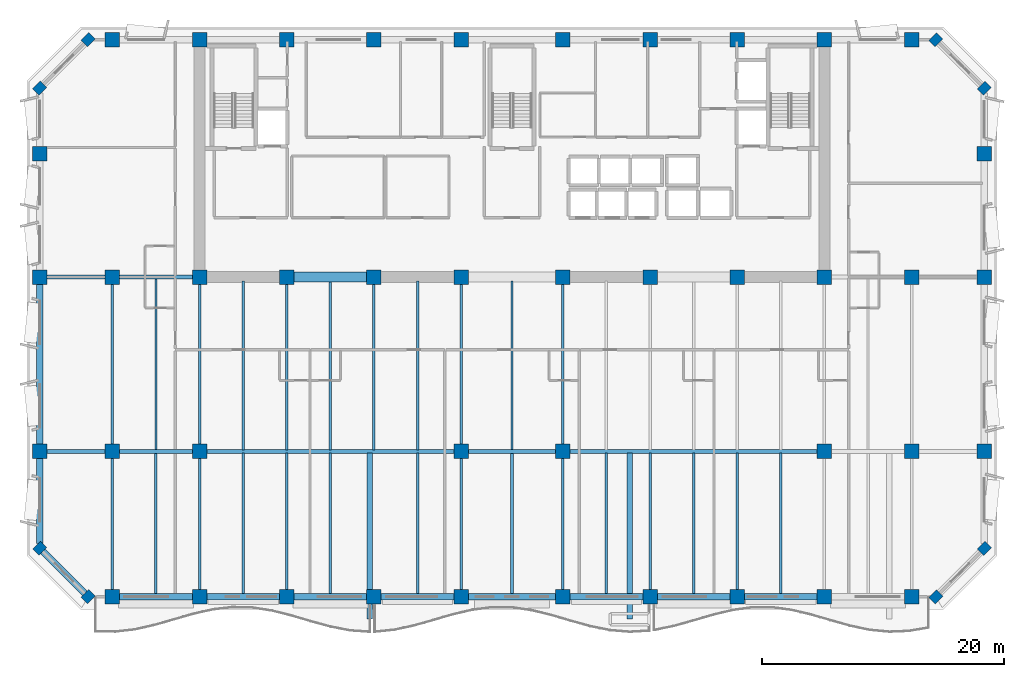
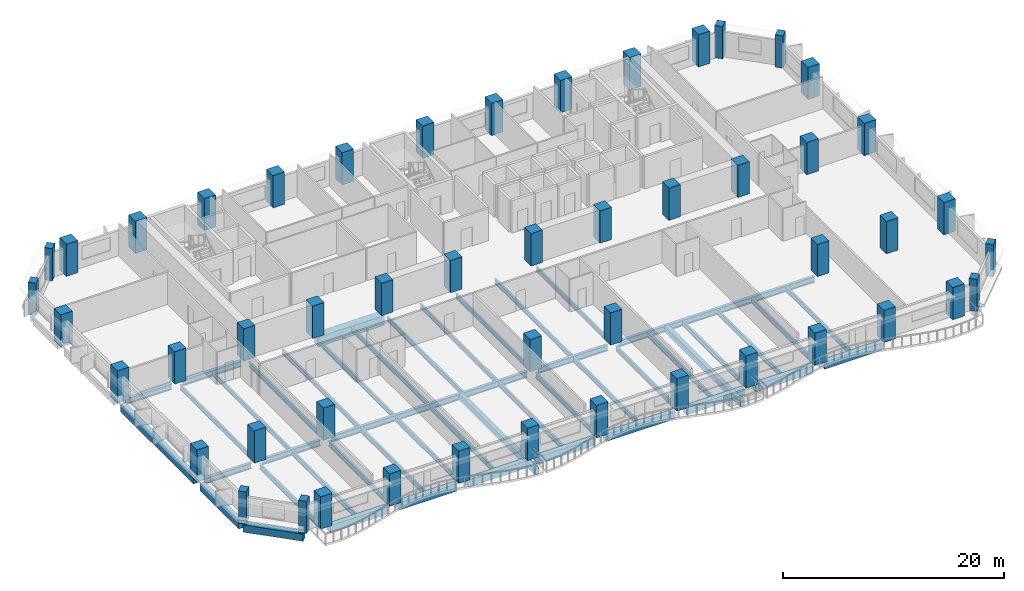
# One storey, part 1 of 14: 50 columns, 47 beams.
"""IFC4 building model written with IfcOpenShell, lengths in metres."""

from ifc_helpers import new_model, si_unit, direction, frame, origin, origin_2d, place, context, subcontext, project, spatial, rectangle, i_section, extrude, material, material_profile, profile_set, type_object, element, save


model = new_model("IFC4")

# Units and contexts
model_context = context("Model", 3, precision=1e-05, world=origin(), true_north=direction((0.0, 1.0)))
body_context = subcontext(model_context, "Body", "Model", "MODEL_VIEW")
ifc_project = project(units=[si_unit("LENGTHUNIT", "METRE"), si_unit("AREAUNIT", "SQUARE_METRE"), si_unit("VOLUMEUNIT", "CUBIC_METRE"), si_unit("PLANEANGLEUNIT", "RADIAN"), si_unit("MASSUNIT", "GRAM", prefix="KILO")], contexts=[model_context])

# Site, building, storey
site_placement = place(None, origin())
site = spatial("IfcSite", under=ifc_project, at=site_placement, CompositionType="ELEMENT")
building_placement = place(site_placement, origin())
building = spatial("IfcBuilding", under=site, at=building_placement, Name="Kaelvorn Grand Hotel", CompositionType="ELEMENT")
storey_placement = place(building_placement, frame((0.0, 0.0, 209.14990234375)))
storey = spatial("IfcBuildingStorey", under=building, at=storey_placement, Name="L51", CompositionType="ELEMENT", Elevation=209.14990234375)

# Columns
ifc_material_1 = material(Name="Concrete C60/75", Category="concrete")
ifc_material_profile_1 = material_profile(ifc_material_1, rectangle(XDim=0.89990234375, YDim=0.75, at=origin_2d()), Name="RC PILASTER 900x750")
ifc_profile_set_1 = profile_set([ifc_material_profile_1], Name="Concrete C60/75")
column_type_1 = type_object("IfcColumnType", Name="COL-PIL-900x750-C60", PredefinedType="PILASTER", material=ifc_profile_set_1)
for number, where, z_axis, x_axis, name in (
    (1, (7.0, 3.0, 0.0), (0.0, 0.0, 1.0), (0.707106781187, 0.707106781187, 0.0), "L51 Structural Column CH-01"),
    (2, (77.0, 3.0, 0.0), (0.0, 0.0, 1.0), (0.707106781187, 0.707106781187, 0.0), "L51 Structural Column CH-02"),
    (3, (81.0, 7.0, 0.0), (0.0, 0.0, 1.0), (0.707106781187, 0.707106781187, 0.0), "L51 Structural Column CH-03"),
    (4, (81.0, 45.0, 0.0), (0.0, 0.0, 1.0), (0.707106781187, 0.707106781187, 0.0), "L51 Structural Column CH-04"),
    (5, (77.0, 49.0, 0.0), (0.0, 0.0, 1.0), (0.707106781187, 0.707106781187, 0.0), "L51 Structural Column CH-05"),
    (6, (7.0, 49.0, 0.0), (0.0, 0.0, 1.0), (0.707106781187, 0.707106781187, 0.0), "L51 Structural Column CH-06"),
    (7, (3.0, 45.0, 0.0), (0.0, 0.0, 1.0), (0.707106781187, 0.707106781187, 0.0), "L51 Structural Column CH-07"),
    (8, (3.0, 7.0, 0.0), (0.0, 0.0, 1.0), (0.707106781187, 0.707106781187, 0.0), "L51 Structural Column CH-08"),
):
    element("IfcColumn", number, at=place(storey_placement, frame(where, z_axis=z_axis, x_axis=x_axis)), inside=storey, type_object=column_type_1, Name=name, PredefinedType="PILASTER", context=body_context, shape_type="SweptSolid", body=[
        extrude(rectangle(XDim=0.89990234375, YDim=0.75, at=origin_2d()), origin(), (0.0, 0.0, 1.0), 3.56005859375),
    ])
ifc_material_profile_2 = material_profile(ifc_material_1, rectangle(XDim=1.199951171875, YDim=1.199951171875, at=origin_2d()), Name="RC COL 1200x1200")
ifc_profile_set_2 = profile_set([ifc_material_profile_2], Name="Concrete C60/75")
column_type_2 = type_object("IfcColumnType", Name="COL-RC-1200-C60", PredefinedType="COLUMN", material=ifc_profile_set_2)
for number, where, z_axis, x_axis, name in (
    (9, (9.0, 3.0, 0.0), (0.0, 0.0, 1.0), (1.0, 0.0, 0.0), "L51 Structural Column S-01"),
    (10, (16.199951171875, 3.0, 0.0), (0.0, 0.0, 1.0), (1.0, 0.0, 0.0), "L51 Structural Column S-02"),
    (11, (23.39990234375, 3.0, 0.0), (0.0, 0.0, 1.0), (1.0, 0.0, 0.0), "L51 Structural Column S-03"),
    (12, (30.60009765625, 3.0, 0.0), (0.0, 0.0, 1.0), (1.0, 0.0, 0.0), "L51 Structural Column S-04"),
    (13, (37.800048828125, 3.0, 0.0), (0.0, 0.0, 1.0), (1.0, 0.0, 0.0), "L51 Structural Column S-05"),
    (14, (46.199951171875, 3.0, 0.0), (0.0, 0.0, 1.0), (1.0, 0.0, 0.0), "L51 Structural Column S-06"),
    (15, (53.39990234375, 3.0, 0.0), (0.0, 0.0, 1.0), (1.0, 0.0, 0.0), "L51 Structural Column S-07"),
    (16, (60.60009765625, 3.0, 0.0), (0.0, 0.0, 1.0), (1.0, 0.0, 0.0), "L51 Structural Column S-08"),
    (17, (67.800048828125, 3.0, 0.0), (0.0, 0.0, 1.0), (1.0, 0.0, 0.0), "L51 Structural Column S-09"),
    (18, (75.0, 3.0, 0.0), (0.0, 0.0, 1.0), (1.0, 0.0, 0.0), "L51 Structural Column S-10"),
    (19, (3.0, 15.0, 0.0), (0.0, 0.0, 1.0), (1.0, 0.0, 0.0), "L51 Structural Column W-01"),
    (20, (81.0, 15.0, 0.0), (0.0, 0.0, 1.0), (1.0, 0.0, 0.0), "L51 Structural Column E-01"),
    (21, (3.0, 29.39990234375, 0.0), (0.0, 0.0, 1.0), (1.0, 0.0, 0.0), "L51 Structural Column W-02"),
    (22, (81.0, 29.39990234375, 0.0), (0.0, 0.0, 1.0), (1.0, 0.0, 0.0), "L51 Structural Column E-02"),
    (23, (3.0, 39.60009765625, 0.0), (0.0, 0.0, 1.0), (1.0, 0.0, 0.0), "L51 Structural Column W-03"),
    (24, (81.0, 39.60009765625, 0.0), (0.0, 0.0, 1.0), (1.0, 0.0, 0.0), "L51 Structural Column E-03"),
    (25, (9.0, 15.0, 0.0), (0.0, 0.0, 1.0), (1.0, 0.0, 0.0), "L51 Structural Column M-01"),
    (26, (16.199951171875, 15.0, 0.0), (0.0, 0.0, 1.0), (1.0, 0.0, 0.0), "L51 Structural Column M-02"),
    (27, (37.800048828125, 15.0, 0.0), (0.0, 0.0, 1.0), (1.0, 0.0, 0.0), "L51 Structural Column M-03"),
    (28, (46.199951171875, 15.0, 0.0), (0.0, 0.0, 1.0), (1.0, 0.0, 0.0), "L51 Structural Column M-04"),
    (29, (67.800048828125, 15.0, 0.0), (0.0, 0.0, 1.0), (1.0, 0.0, 0.0), "L51 Structural Column M-05"),
    (30, (75.0, 15.0, 0.0), (0.0, 0.0, 1.0), (1.0, 0.0, 0.0), "L51 Structural Column M-06"),
    (31, (9.0, 29.39990234375, 0.0), (0.0, 0.0, 1.0), (1.0, 0.0, 0.0), "L51 Structural Column CR1-01"),
    (32, (9.0, 49.0, 0.0), (0.0, 0.0, 1.0), (1.0, 0.0, 0.0), "L51 Structural Column CR2-01"),
    (33, (16.199951171875, 29.39990234375, 0.0), (0.0, 0.0, 1.0), (1.0, 0.0, 0.0), "L51 Structural Column CR1-02"),
    (34, (16.199951171875, 49.0, 0.0), (0.0, 0.0, 1.0), (1.0, 0.0, 0.0), "L51 Structural Column CR2-02"),
    (35, (23.39990234375, 29.39990234375, 0.0), (0.0, 0.0, 1.0), (1.0, 0.0, 0.0), "L51 Structural Column CR1-03"),
    (36, (23.39990234375, 49.0, 0.0), (0.0, 0.0, 1.0), (1.0, 0.0, 0.0), "L51 Structural Column CR2-03"),
    (37, (30.60009765625, 29.39990234375, 0.0), (0.0, 0.0, 1.0), (1.0, 0.0, 0.0), "L51 Structural Column CR1-04"),
    (38, (30.60009765625, 49.0, 0.0), (0.0, 0.0, 1.0), (1.0, 0.0, 0.0), "L51 Structural Column CR2-04"),
    (39, (37.800048828125, 29.39990234375, 0.0), (0.0, 0.0, 1.0), (1.0, 0.0, 0.0), "L51 Structural Column CR1-05"),
    (40, (37.800048828125, 49.0, 0.0), (0.0, 0.0, 1.0), (1.0, 0.0, 0.0), "L51 Structural Column CR2-05"),
    (41, (46.199951171875, 29.39990234375, 0.0), (0.0, 0.0, 1.0), (1.0, 0.0, 0.0), "L51 Structural Column CR1-06"),
    (42, (46.199951171875, 49.0, 0.0), (0.0, 0.0, 1.0), (1.0, 0.0, 0.0), "L51 Structural Column CR2-06"),
    (43, (53.39990234375, 29.39990234375, 0.0), (0.0, 0.0, 1.0), (1.0, 0.0, 0.0), "L51 Structural Column CR1-07"),
    (44, (53.39990234375, 49.0, 0.0), (0.0, 0.0, 1.0), (1.0, 0.0, 0.0), "L51 Structural Column CR2-07"),
    (45, (60.60009765625, 29.39990234375, 0.0), (0.0, 0.0, 1.0), (1.0, 0.0, 0.0), "L51 Structural Column CR1-08"),
    (46, (60.60009765625, 49.0, 0.0), (0.0, 0.0, 1.0), (1.0, 0.0, 0.0), "L51 Structural Column CR2-08"),
    (47, (67.800048828125, 29.39990234375, 0.0), (0.0, 0.0, 1.0), (1.0, 0.0, 0.0), "L51 Structural Column CR1-09"),
    (48, (67.800048828125, 49.0, 0.0), (0.0, 0.0, 1.0), (1.0, 0.0, 0.0), "L51 Structural Column CR2-09"),
    (49, (75.0, 29.39990234375, 0.0), (0.0, 0.0, 1.0), (1.0, 0.0, 0.0), "L51 Structural Column CR1-10"),
    (50, (75.0, 49.0, 0.0), (0.0, 0.0, 1.0), (1.0, 0.0, 0.0), "L51 Structural Column CR2-10"),
):
    element("IfcColumn", number, at=place(storey_placement, frame(where, z_axis=z_axis, x_axis=x_axis)), inside=storey, type_object=column_type_2, Name=name, PredefinedType="COLUMN", context=body_context, shape_type="SweptSolid", body=[
        extrude(rectangle(XDim=1.199951171875, YDim=1.199951171875, at=origin_2d()), origin(), (0.0, 0.0, 1.0), 3.56005859375),
    ])

# Beams
ifc_material_2 = material(Name="Steel S355", Category="steel")
ifc_material_profile_3 = material_profile(ifc_material_2, i_section(OverallWidth=0.300048828125, OverallDepth=0.64990234375, WebThickness=0.01611328125, FlangeThickness=0.031005859375, FilletRadius=0.027099609375, at=origin_2d()), Name="HEB 650")
ifc_profile_set_3 = profile_set([ifc_material_profile_3], Name="Steel S355")
beam_type_1 = type_object("IfcBeamType", Name="BM-G-HEB650-S355", PredefinedType="BEAM", material=ifc_profile_set_3)
beam_1_placement = place(storey_placement, frame((3.5849609375, 15.0, -0.56494140625), z_axis=(1.0, 0.0, 0.0), x_axis=(0.0, 1.0, 0.0)))
element("IfcBeam", 51, at=beam_1_placement, inside=storey, type_object=beam_type_1, Name="L51 Primary Spine Steel Girder G-15 01", PredefinedType="BEAM", context=body_context, shape_type="SweptSolid", body=[
    extrude(i_section(OverallWidth=0.300048828125, OverallDepth=0.64990234375, WebThickness=0.01611328125, FlangeThickness=0.031005859375, FilletRadius=0.027099609375, at=origin_2d()), origin(), (0.0, 0.0, 1.0), 4.830078125),
])
beam_2_placement = place(storey_placement, frame((9.5849609375, 15.0, -0.56494140625), z_axis=(1.0, 0.0, 0.0), x_axis=(0.0, 1.0, 0.0)))
element("IfcBeam", 52, at=beam_2_placement, inside=storey, type_object=beam_type_1, Name="L51 Primary Spine Steel Girder G-15 02", PredefinedType="BEAM", context=body_context, shape_type="SweptSolid", body=[
    extrude(i_section(OverallWidth=0.300048828125, OverallDepth=0.64990234375, WebThickness=0.01611328125, FlangeThickness=0.031005859375, FilletRadius=0.027099609375, at=origin_2d()), origin(), (0.0, 0.0, 1.0), 6.030029296875),
])
beam_3_placement = place(storey_placement, frame((16.784912109375, 15.0, -0.56494140625), z_axis=(1.0, 0.0, 0.0), x_axis=(0.0, 1.0, 0.0)))
element("IfcBeam", 53, at=beam_3_placement, inside=storey, type_object=beam_type_1, Name="L51 Primary Spine Steel Girder G-15 03", PredefinedType="BEAM", context=body_context, shape_type="SweptSolid", body=[
    extrude(i_section(OverallWidth=0.300048828125, OverallDepth=0.64990234375, WebThickness=0.01611328125, FlangeThickness=0.031005859375, FilletRadius=0.027099609375, at=origin_2d()), origin(), (0.0, 0.0, 1.0), 20.43017578125),
])
beam_4_placement = place(storey_placement, frame((38.385009765625, 15.0, -0.56494140625), z_axis=(1.0, 0.0, 0.0), x_axis=(0.0, 1.0, 0.0)))
element("IfcBeam", 54, at=beam_4_placement, inside=storey, type_object=beam_type_1, Name="L51 Primary Spine Steel Girder G-15 04", PredefinedType="BEAM", context=body_context, shape_type="SweptSolid", body=[
    extrude(i_section(OverallWidth=0.300048828125, OverallDepth=0.64990234375, WebThickness=0.01611328125, FlangeThickness=0.031005859375, FilletRadius=0.027099609375, at=origin_2d()), origin(), (0.0, 0.0, 1.0), 7.22998046875),
])
beam_5_placement = place(storey_placement, frame((46.784912109375, 15.0, -0.56494140625), z_axis=(1.0, 0.0, 0.0), x_axis=(0.0, 1.0, 0.0)))
element("IfcBeam", 55, at=beam_5_placement, inside=storey, type_object=beam_type_1, Name="L51 Primary Spine Steel Girder G-15 05", PredefinedType="BEAM", context=body_context, shape_type="SweptSolid", body=[
    extrude(i_section(OverallWidth=0.300048828125, OverallDepth=0.64990234375, WebThickness=0.01611328125, FlangeThickness=0.031005859375, FilletRadius=0.027099609375, at=origin_2d()), origin(), (0.0, 0.0, 1.0), 20.43017578125),
])
beam_6_placement = place(storey_placement, frame((3.5849609375, 29.39990234375, -0.56494140625), z_axis=(1.0, 0.0, 0.0), x_axis=(0.0, 1.0, 0.0)))
element("IfcBeam", 56, at=beam_6_placement, inside=storey, type_object=beam_type_1, Name="L51 West Core Wing Steel Girder G-29W 01", PredefinedType="BEAM", context=body_context, shape_type="SweptSolid", body=[
    extrude(i_section(OverallWidth=0.300048828125, OverallDepth=0.64990234375, WebThickness=0.01611328125, FlangeThickness=0.031005859375, FilletRadius=0.027099609375, at=origin_2d()), origin(), (0.0, 0.0, 1.0), 4.830078125),
])
beam_7_placement = place(storey_placement, frame((9.5849609375, 29.39990234375, -0.56494140625), z_axis=(1.0, 0.0, 0.0), x_axis=(0.0, 1.0, 0.0)))
element("IfcBeam", 57, at=beam_7_placement, inside=storey, type_object=beam_type_1, Name="L51 West Core Wing Steel Girder G-29W 02", PredefinedType="BEAM", context=body_context, shape_type="SweptSolid", body=[
    extrude(i_section(OverallWidth=0.300048828125, OverallDepth=0.64990234375, WebThickness=0.01611328125, FlangeThickness=0.031005859375, FilletRadius=0.027099609375, at=origin_2d()), origin(), (0.0, 0.0, 1.0), 6.030029296875),
])
ifc_material_profile_4 = material_profile(ifc_material_2, i_section(OverallWidth=0.199951171875, OverallDepth=0.5, WebThickness=0.01025390625, FlangeThickness=0.01611328125, FilletRadius=0.02099609375, at=origin_2d()), Name="IPE 500")
ifc_profile_set_4 = profile_set([ifc_material_profile_4], Name="Steel S355")
beam_type_2 = type_object("IfcBeamType", Name="BM-J-IPE500-S355", PredefinedType="JOIST", material=ifc_profile_set_4)
beam_8_placement = place(storey_placement, frame((9.0, 15.5849609375, -0.489990234375), z_axis=(0.0, 1.0, 0.0), x_axis=(-1.0, 0.0, 0.0)))
element("IfcBeam", 58, at=beam_8_placement, inside=storey, type_object=beam_type_2, Name="L51 Composite Floor Joist JM-03", PredefinedType="JOIST", context=body_context, shape_type="SweptSolid", body=[
    extrude(i_section(OverallWidth=0.199951171875, OverallDepth=0.5, WebThickness=0.01025390625, FlangeThickness=0.01611328125, FilletRadius=0.02099609375, at=origin_2d()), origin(), (0.0, 0.0, 1.0), 13.22998046875),
])
beam_9_placement = place(storey_placement, frame((12.60009765625, 15.135009765625, -0.489990234375), z_axis=(0.0, 1.0, 0.0), x_axis=(-1.0, 0.0, 0.0)))
element("IfcBeam", 59, at=beam_9_placement, inside=storey, type_object=beam_type_2, Name="L51 Composite Floor Joist JM-04", PredefinedType="JOIST", context=body_context, shape_type="SweptSolid", body=[
    extrude(i_section(OverallWidth=0.199951171875, OverallDepth=0.5, WebThickness=0.01025390625, FlangeThickness=0.01611328125, FilletRadius=0.02099609375, at=origin_2d()), origin(), (0.0, 0.0, 1.0), 14.1298828125),
])
beam_10_placement = place(storey_placement, frame((16.199951171875, 15.5849609375, -0.489990234375), z_axis=(0.0, 1.0, 0.0), x_axis=(-1.0, 0.0, 0.0)))
element("IfcBeam", 60, at=beam_10_placement, inside=storey, type_object=beam_type_2, Name="L51 Composite Floor Joist JM-05", PredefinedType="JOIST", context=body_context, shape_type="SweptSolid", body=[
    extrude(i_section(OverallWidth=0.199951171875, OverallDepth=0.5, WebThickness=0.01025390625, FlangeThickness=0.01611328125, FilletRadius=0.02099609375, at=origin_2d()), origin(), (0.0, 0.0, 1.0), 13.22998046875),
])
beam_11_placement = place(storey_placement, frame((19.800048828125, 15.135009765625, -0.489990234375), z_axis=(0.0, 1.0, 0.0), x_axis=(-1.0, 0.0, 0.0)))
element("IfcBeam", 61, at=beam_11_placement, inside=storey, type_object=beam_type_2, Name="L51 Composite Floor Joist JM-06", PredefinedType="JOIST", context=body_context, shape_type="SweptSolid", body=[
    extrude(i_section(OverallWidth=0.199951171875, OverallDepth=0.5, WebThickness=0.01025390625, FlangeThickness=0.01611328125, FilletRadius=0.02099609375, at=origin_2d()), origin(), (0.0, 0.0, 1.0), 13.925048828125),
])
beam_12_placement = place(storey_placement, frame((23.39990234375, 15.135009765625, -0.489990234375), z_axis=(0.0, 1.0, 0.0), x_axis=(-1.0, 0.0, 0.0)))
element("IfcBeam", 62, at=beam_12_placement, inside=storey, type_object=beam_type_2, Name="L51 Composite Floor Joist JM-07", PredefinedType="JOIST", context=body_context, shape_type="SweptSolid", body=[
    extrude(i_section(OverallWidth=0.199951171875, OverallDepth=0.5, WebThickness=0.01025390625, FlangeThickness=0.01611328125, FilletRadius=0.02099609375, at=origin_2d()), origin(), (0.0, 0.0, 1.0), 13.679931640625),
])
beam_13_placement = place(storey_placement, frame((27.0, 15.135009765625, -0.489990234375), z_axis=(0.0, 1.0, 0.0), x_axis=(-1.0, 0.0, 0.0)))
element("IfcBeam", 63, at=beam_13_placement, inside=storey, type_object=beam_type_2, Name="L51 Composite Floor Joist JM-08", PredefinedType="JOIST", context=body_context, shape_type="SweptSolid", body=[
    extrude(i_section(OverallWidth=0.199951171875, OverallDepth=0.5, WebThickness=0.01025390625, FlangeThickness=0.01611328125, FilletRadius=0.02099609375, at=origin_2d()), origin(), (0.0, 0.0, 1.0), 13.925048828125),
])
beam_14_placement = place(storey_placement, frame((30.60009765625, 15.135009765625, -0.489990234375), z_axis=(0.0, 1.0, 0.0), x_axis=(-1.0, 0.0, 0.0)))
element("IfcBeam", 64, at=beam_14_placement, inside=storey, type_object=beam_type_2, Name="L51 Composite Floor Joist JM-09", PredefinedType="JOIST", context=body_context, shape_type="SweptSolid", body=[
    extrude(i_section(OverallWidth=0.199951171875, OverallDepth=0.5, WebThickness=0.01025390625, FlangeThickness=0.01611328125, FilletRadius=0.02099609375, at=origin_2d()), origin(), (0.0, 0.0, 1.0), 13.679931640625),
])
beam_15_placement = place(storey_placement, frame((34.199951171875, 15.135009765625, -0.489990234375), z_axis=(0.0, 1.0, 0.0), x_axis=(-1.0, 0.0, 0.0)))
element("IfcBeam", 65, at=beam_15_placement, inside=storey, type_object=beam_type_2, Name="L51 Composite Floor Joist JM-10", PredefinedType="JOIST", context=body_context, shape_type="SweptSolid", body=[
    extrude(i_section(OverallWidth=0.199951171875, OverallDepth=0.5, WebThickness=0.01025390625, FlangeThickness=0.01611328125, FilletRadius=0.02099609375, at=origin_2d()), origin(), (0.0, 0.0, 1.0), 13.925048828125),
])
beam_16_placement = place(storey_placement, frame((37.800048828125, 15.5849609375, -0.489990234375), z_axis=(0.0, 1.0, 0.0), x_axis=(-1.0, 0.0, 0.0)))
element("IfcBeam", 66, at=beam_16_placement, inside=storey, type_object=beam_type_2, Name="L51 Composite Floor Joist JM-11", PredefinedType="JOIST", context=body_context, shape_type="SweptSolid", body=[
    extrude(i_section(OverallWidth=0.199951171875, OverallDepth=0.5, WebThickness=0.01025390625, FlangeThickness=0.01611328125, FilletRadius=0.02099609375, at=origin_2d()), origin(), (0.0, 0.0, 1.0), 13.22998046875),
])
beam_17_placement = place(storey_placement, frame((42.0, 15.135009765625, -0.489990234375), z_axis=(0.0, 1.0, 0.0), x_axis=(-1.0, 0.0, 0.0)))
element("IfcBeam", 67, at=beam_17_placement, inside=storey, type_object=beam_type_2, Name="L51 Composite Floor Joist JM-12", PredefinedType="JOIST", context=body_context, shape_type="SweptSolid", body=[
    extrude(i_section(OverallWidth=0.199951171875, OverallDepth=0.5, WebThickness=0.01025390625, FlangeThickness=0.01611328125, FilletRadius=0.02099609375, at=origin_2d()), origin(), (0.0, 0.0, 1.0), 13.925048828125),
])
beam_18_placement = place(storey_placement, frame((46.199951171875, 15.5849609375, -0.489990234375), z_axis=(0.0, 1.0, 0.0), x_axis=(-1.0, 0.0, 0.0)))
element("IfcBeam", 68, at=beam_18_placement, inside=storey, type_object=beam_type_2, Name="L51 Composite Floor Joist JM-13", PredefinedType="JOIST", context=body_context, shape_type="SweptSolid", body=[
    extrude(i_section(OverallWidth=0.199951171875, OverallDepth=0.5, WebThickness=0.01025390625, FlangeThickness=0.01611328125, FilletRadius=0.02099609375, at=origin_2d()), origin(), (0.0, 0.0, 1.0), 13.22998046875),
])
ifc_material_profile_5 = material_profile(ifc_material_2, i_section(OverallWidth=0.2099609375, OverallDepth=0.550048828125, WebThickness=0.010986328125, FlangeThickness=0.01708984375, FilletRadius=0.02392578125, at=origin_2d()), Name="IPE 550")
ifc_profile_set_5 = profile_set([ifc_material_profile_5], Name="Steel S355")
beam_type_3 = type_object("IfcBeamType", Name="BM-J-IPE550-S355", PredefinedType="JOIST", material=ifc_profile_set_5)
beam_19_placement = place(storey_placement, frame((9.0, 3.5849609375, -0.514892578125), z_axis=(0.0, 1.0, 0.0), x_axis=(-1.0, 0.0, 0.0)))
element("IfcBeam", 69, at=beam_19_placement, inside=storey, type_object=beam_type_3, Name="L51 Composite Floor Joist JS-03", PredefinedType="JOIST", context=body_context, shape_type="SweptSolid", body=[
    extrude(i_section(OverallWidth=0.2099609375, OverallDepth=0.550048828125, WebThickness=0.010986328125, FlangeThickness=0.01708984375, FilletRadius=0.02392578125, at=origin_2d()), origin(), (0.0, 0.0, 1.0), 10.830078125),
])
beam_20_placement = place(storey_placement, frame((12.60009765625, 3.260009765625, -0.514892578125), z_axis=(0.0, 1.0, 0.0), x_axis=(-1.0, 0.0, 0.0)))
element("IfcBeam", 70, at=beam_20_placement, inside=storey, type_object=beam_type_3, Name="L51 Composite Floor Joist JS-04", PredefinedType="JOIST", context=body_context, shape_type="SweptSolid", body=[
    extrude(i_section(OverallWidth=0.2099609375, OverallDepth=0.550048828125, WebThickness=0.010986328125, FlangeThickness=0.01708984375, FilletRadius=0.02392578125, at=origin_2d()), origin(), (0.0, 0.0, 1.0), 11.60498046875),
])
beam_21_placement = place(storey_placement, frame((16.199951171875, 3.5849609375, -0.514892578125), z_axis=(0.0, 1.0, 0.0), x_axis=(-1.0, 0.0, 0.0)))
element("IfcBeam", 71, at=beam_21_placement, inside=storey, type_object=beam_type_3, Name="L51 Composite Floor Joist JS-05", PredefinedType="JOIST", context=body_context, shape_type="SweptSolid", body=[
    extrude(i_section(OverallWidth=0.2099609375, OverallDepth=0.550048828125, WebThickness=0.010986328125, FlangeThickness=0.01708984375, FilletRadius=0.02392578125, at=origin_2d()), origin(), (0.0, 0.0, 1.0), 10.830078125),
])
beam_22_placement = place(storey_placement, frame((19.800048828125, 3.260009765625, -0.514892578125), z_axis=(0.0, 1.0, 0.0), x_axis=(-1.0, 0.0, 0.0)))
element("IfcBeam", 72, at=beam_22_placement, inside=storey, type_object=beam_type_3, Name="L51 Composite Floor Joist JS-06", PredefinedType="JOIST", context=body_context, shape_type="SweptSolid", body=[
    extrude(i_section(OverallWidth=0.2099609375, OverallDepth=0.550048828125, WebThickness=0.010986328125, FlangeThickness=0.01708984375, FilletRadius=0.02392578125, at=origin_2d()), origin(), (0.0, 0.0, 1.0), 11.60498046875),
])
beam_23_placement = place(storey_placement, frame((23.39990234375, 3.5849609375, -0.514892578125), z_axis=(0.0, 1.0, 0.0), x_axis=(-1.0, 0.0, 0.0)))
element("IfcBeam", 73, at=beam_23_placement, inside=storey, type_object=beam_type_3, Name="L51 Composite Floor Joist JS-07", PredefinedType="JOIST", context=body_context, shape_type="SweptSolid", body=[
    extrude(i_section(OverallWidth=0.2099609375, OverallDepth=0.550048828125, WebThickness=0.010986328125, FlangeThickness=0.01708984375, FilletRadius=0.02392578125, at=origin_2d()), origin(), (0.0, 0.0, 1.0), 11.280029296875),
])
for number, where, z_axis, x_axis, name in (
    (74, (27.0, 3.260009765625, -0.514892578125), (0.0, 1.0, 0.0), (-1.0, 0.0, 0.0), "L51 Composite Floor Joist JS-08"),
    (75, (34.199951171875, 3.260009765625, -0.514892578125), (0.0, 1.0, 0.0), (-1.0, 0.0, 0.0), "L51 Composite Floor Joist JS-10"),
):
    element("IfcBeam", number, at=place(storey_placement, frame(where, z_axis=z_axis, x_axis=x_axis)), inside=storey, type_object=beam_type_3, Name=name, PredefinedType="JOIST", context=body_context, shape_type="SweptSolid", body=[
        extrude(i_section(OverallWidth=0.2099609375, OverallDepth=0.550048828125, WebThickness=0.010986328125, FlangeThickness=0.01708984375, FilletRadius=0.02392578125, at=origin_2d()), origin(), (0.0, 0.0, 1.0), 11.60498046875),
    ])
beam_24_placement = place(storey_placement, frame((37.800048828125, 3.5849609375, -0.514892578125), z_axis=(0.0, 1.0, 0.0), x_axis=(-1.0, 0.0, 0.0)))
element("IfcBeam", 76, at=beam_24_placement, inside=storey, type_object=beam_type_3, Name="L51 Composite Floor Joist JS-11", PredefinedType="JOIST", context=body_context, shape_type="SweptSolid", body=[
    extrude(i_section(OverallWidth=0.2099609375, OverallDepth=0.550048828125, WebThickness=0.010986328125, FlangeThickness=0.01708984375, FilletRadius=0.02392578125, at=origin_2d()), origin(), (0.0, 0.0, 1.0), 10.830078125),
])
beam_25_placement = place(storey_placement, frame((42.0, 3.260009765625, -0.514892578125), z_axis=(0.0, 1.0, 0.0), x_axis=(-1.0, 0.0, 0.0)))
element("IfcBeam", 77, at=beam_25_placement, inside=storey, type_object=beam_type_3, Name="L51 Composite Floor Joist JS-12", PredefinedType="JOIST", context=body_context, shape_type="SweptSolid", body=[
    extrude(i_section(OverallWidth=0.2099609375, OverallDepth=0.550048828125, WebThickness=0.010986328125, FlangeThickness=0.01708984375, FilletRadius=0.02392578125, at=origin_2d()), origin(), (0.0, 0.0, 1.0), 11.60498046875),
])
beam_26_placement = place(storey_placement, frame((46.199951171875, 3.5849609375, -0.514892578125), z_axis=(0.0, 1.0, 0.0), x_axis=(-1.0, 0.0, 0.0)))
element("IfcBeam", 78, at=beam_26_placement, inside=storey, type_object=beam_type_3, Name="L51 Composite Floor Joist JS-13", PredefinedType="JOIST", context=body_context, shape_type="SweptSolid", body=[
    extrude(i_section(OverallWidth=0.2099609375, OverallDepth=0.550048828125, WebThickness=0.010986328125, FlangeThickness=0.01708984375, FilletRadius=0.02392578125, at=origin_2d()), origin(), (0.0, 0.0, 1.0), 10.830078125),
])
beam_27_placement = place(storey_placement, frame((49.800048828125, 3.260009765625, -0.514892578125), z_axis=(0.0, 1.0, 0.0), x_axis=(-1.0, 0.0, 0.0)))
element("IfcBeam", 79, at=beam_27_placement, inside=storey, type_object=beam_type_3, Name="L51 Composite Floor Joist JS-14", PredefinedType="JOIST", context=body_context, shape_type="SweptSolid", body=[
    extrude(i_section(OverallWidth=0.2099609375, OverallDepth=0.550048828125, WebThickness=0.010986328125, FlangeThickness=0.01708984375, FilletRadius=0.02392578125, at=origin_2d()), origin(), (0.0, 0.0, 1.0), 11.60498046875),
])
beam_28_placement = place(storey_placement, frame((53.39990234375, 3.5849609375, -0.514892578125), z_axis=(0.0, 1.0, 0.0), x_axis=(-1.0, 0.0, 0.0)))
element("IfcBeam", 80, at=beam_28_placement, inside=storey, type_object=beam_type_3, Name="L51 Composite Floor Joist JS-15", PredefinedType="JOIST", context=body_context, shape_type="SweptSolid", body=[
    extrude(i_section(OverallWidth=0.2099609375, OverallDepth=0.550048828125, WebThickness=0.010986328125, FlangeThickness=0.01708984375, FilletRadius=0.02392578125, at=origin_2d()), origin(), (0.0, 0.0, 1.0), 11.280029296875),
])
beam_29_placement = place(storey_placement, frame((57.0, 3.260009765625, -0.514892578125), z_axis=(0.0, 1.0, 0.0), x_axis=(-1.0, 0.0, 0.0)))
element("IfcBeam", 81, at=beam_29_placement, inside=storey, type_object=beam_type_3, Name="L51 Composite Floor Joist JS-16", PredefinedType="JOIST", context=body_context, shape_type="SweptSolid", body=[
    extrude(i_section(OverallWidth=0.2099609375, OverallDepth=0.550048828125, WebThickness=0.010986328125, FlangeThickness=0.01708984375, FilletRadius=0.02392578125, at=origin_2d()), origin(), (0.0, 0.0, 1.0), 11.60498046875),
])
beam_30_placement = place(storey_placement, frame((60.60009765625, 3.5849609375, -0.514892578125), z_axis=(0.0, 1.0, 0.0), x_axis=(-1.0, 0.0, 0.0)))
element("IfcBeam", 82, at=beam_30_placement, inside=storey, type_object=beam_type_3, Name="L51 Composite Floor Joist JS-17", PredefinedType="JOIST", context=body_context, shape_type="SweptSolid", body=[
    extrude(i_section(OverallWidth=0.2099609375, OverallDepth=0.550048828125, WebThickness=0.010986328125, FlangeThickness=0.01708984375, FilletRadius=0.02392578125, at=origin_2d()), origin(), (0.0, 0.0, 1.0), 11.280029296875),
])
beam_31_placement = place(storey_placement, frame((64.199951171875, 3.260009765625, -0.514892578125), z_axis=(0.0, 1.0, 0.0), x_axis=(-1.0, 0.0, 0.0)))
element("IfcBeam", 83, at=beam_31_placement, inside=storey, type_object=beam_type_3, Name="L51 Composite Floor Joist JS-18", PredefinedType="JOIST", context=body_context, shape_type="SweptSolid", body=[
    extrude(i_section(OverallWidth=0.2099609375, OverallDepth=0.550048828125, WebThickness=0.010986328125, FlangeThickness=0.01708984375, FilletRadius=0.02392578125, at=origin_2d()), origin(), (0.0, 0.0, 1.0), 11.60498046875),
])
ifc_material_profile_6 = material_profile(ifc_material_1, rectangle(XDim=0.800048828125, YDim=1.10009765625, at=origin_2d()), Name="RC LINTEL 800x1100")
ifc_profile_set_6 = profile_set([ifc_material_profile_6], Name="Concrete C60/75")
beam_type_4 = type_object("IfcBeamType", Name="BM-LIN-800x1100-C60", PredefinedType="LINTEL", material=ifc_profile_set_6)
beam_32_placement = place(storey_placement, frame((23.580078125, 29.39990234375, -0.789794921875), z_axis=(1.0, 0.0, 0.0), x_axis=(0.0, 1.0, 0.0)))
element("IfcBeam", 84, at=beam_32_placement, inside=storey, type_object=beam_type_4, Name="L51 Rear-Core Coupling Lintel Beam CB1-01", PredefinedType="LINTEL", context=body_context, shape_type="SweptSolid", body=[
    extrude(rectangle(XDim=0.800048828125, YDim=1.10009765625, at=origin_2d()), origin(), (0.0, 0.0, 1.0), 6.83984375),
])
ifc_material_3 = material(Name="Concrete C40/50", Category="concrete")
ifc_material_profile_7 = material_profile(ifc_material_3, rectangle(XDim=0.449951171875, YDim=0.64990234375, at=origin_2d()), Name="RC RIB 450x650")
ifc_profile_set_7 = profile_set([ifc_material_profile_7], Name="Concrete C40/50")
beam_type_5 = type_object("IfcBeamType", Name="BM-RIB-450x650-C40", PredefinedType="SPANDREL", material=ifc_profile_set_7)
for number, where, z_axis, x_axis, name in (
    (85, (30.2666015625, 1.14990234375, -0.544921875), (0.0, 1.0, 0.0), (-1.0, 0.0, 0.0), "L51 Cantilevered Balcony Back-Span Rib RB1-1"),
    (86, (51.71435546875, 1.14990234375, -0.544921875), (0.0, 1.0, 0.0), (-1.0, 0.0, 0.0), "L51 Cantilevered Balcony Back-Span Rib RB1-2"),
):
    element("IfcBeam", number, at=place(storey_placement, frame(where, z_axis=z_axis, x_axis=x_axis)), inside=storey, type_object=beam_type_5, Name=name, PredefinedType="SPANDREL", context=body_context, shape_type="SweptSolid", body=[
        extrude(rectangle(XDim=0.449951171875, YDim=0.64990234375, at=origin_2d()), origin(), (0.0, 0.0, 1.0), 13.715087890625),
    ])
ifc_material_4 = material(Name="Concrete C50/60", Category="concrete")
ifc_material_profile_8 = material_profile(ifc_material_4, rectangle(XDim=0.550048828125, YDim=0.800048828125, at=origin_2d()), Name="RC SPANDREL 550x800")
ifc_profile_set_8 = profile_set([ifc_material_profile_8], Name="Concrete C50/60")
beam_type_6 = type_object("IfcBeamType", Name="BM-SP-550x800-C50", PredefinedType="SPANDREL", material=ifc_profile_set_8)
for number, where, z_axis, x_axis, name in (
    (87, (9.5849609375, 3.0, -0.639892578125), (1.0, 0.0, 0.0), (0.0, 1.0, 0.0), "L51 South Perimeter Spandrel 02"),
    (88, (16.784912109375, 3.0, -0.639892578125), (1.0, 0.0, 0.0), (0.0, 1.0, 0.0), "L51 South Perimeter Spandrel 03"),
):
    element("IfcBeam", number, at=place(storey_placement, frame(where, z_axis=z_axis, x_axis=x_axis)), inside=storey, type_object=beam_type_6, Name=name, PredefinedType="SPANDREL", context=body_context, shape_type="SweptSolid", body=[
        extrude(rectangle(XDim=0.550048828125, YDim=0.800048828125, at=origin_2d()), origin(), (0.0, 0.0, 1.0), 6.030029296875),
    ])
beam_33_placement = place(storey_placement, frame((23.985107421875, 3.0, -0.639892578125), z_axis=(1.0, 0.0, 0.0), x_axis=(0.0, 1.0, 0.0)))
element("IfcBeam", 89, at=beam_33_placement, inside=storey, type_object=beam_type_6, Name="L51 South Perimeter Spandrel 04", PredefinedType="SPANDREL", context=body_context, shape_type="SweptSolid", body=[
    extrude(rectangle(XDim=0.550048828125, YDim=0.800048828125, at=origin_2d()), origin(), (0.0, 0.0, 1.0), 6.02978515625),
])
beam_34_placement = place(storey_placement, frame((31.18505859375, 3.0, -0.639892578125), z_axis=(1.0, 0.0, 0.0), x_axis=(0.0, 1.0, 0.0)))
element("IfcBeam", 90, at=beam_34_placement, inside=storey, type_object=beam_type_6, Name="L51 South Perimeter Spandrel 05", PredefinedType="SPANDREL", context=body_context, shape_type="SweptSolid", body=[
    extrude(rectangle(XDim=0.550048828125, YDim=0.800048828125, at=origin_2d()), origin(), (0.0, 0.0, 1.0), 6.030029296875),
])
beam_35_placement = place(storey_placement, frame((38.385009765625, 3.0, -0.639892578125), z_axis=(1.0, 0.0, 0.0), x_axis=(0.0, 1.0, 0.0)))
element("IfcBeam", 91, at=beam_35_placement, inside=storey, type_object=beam_type_6, Name="L51 South Perimeter Spandrel 06", PredefinedType="SPANDREL", context=body_context, shape_type="SweptSolid", body=[
    extrude(rectangle(XDim=0.550048828125, YDim=0.800048828125, at=origin_2d()), origin(), (0.0, 0.0, 1.0), 7.22998046875),
])
beam_36_placement = place(storey_placement, frame((46.784912109375, 3.0, -0.639892578125), z_axis=(1.0, 0.0, 0.0), x_axis=(0.0, 1.0, 0.0)))
element("IfcBeam", 92, at=beam_36_placement, inside=storey, type_object=beam_type_6, Name="L51 South Perimeter Spandrel 07", PredefinedType="SPANDREL", context=body_context, shape_type="SweptSolid", body=[
    extrude(rectangle(XDim=0.550048828125, YDim=0.800048828125, at=origin_2d()), origin(), (0.0, 0.0, 1.0), 6.030029296875),
])
beam_37_placement = place(storey_placement, frame((53.985107421875, 3.0, -0.639892578125), z_axis=(1.0, 0.0, 0.0), x_axis=(0.0, 1.0, 0.0)))
element("IfcBeam", 93, at=beam_37_placement, inside=storey, type_object=beam_type_6, Name="L51 South Perimeter Spandrel 08", PredefinedType="SPANDREL", context=body_context, shape_type="SweptSolid", body=[
    extrude(rectangle(XDim=0.550048828125, YDim=0.800048828125, at=origin_2d()), origin(), (0.0, 0.0, 1.0), 6.02978515625),
])
beam_38_placement = place(storey_placement, frame((61.18505859375, 3.0, -0.639892578125), z_axis=(1.0, 0.0, 0.0), x_axis=(0.0, 1.0, 0.0)))
element("IfcBeam", 94, at=beam_38_placement, inside=storey, type_object=beam_type_6, Name="L51 South Perimeter Spandrel 09", PredefinedType="SPANDREL", context=body_context, shape_type="SweptSolid", body=[
    extrude(rectangle(XDim=0.550048828125, YDim=0.800048828125, at=origin_2d()), origin(), (0.0, 0.0, 1.0), 6.030029296875),
])
beam_39_placement = place(storey_placement, frame((3.0, 7.405029296875, -0.639892578125), z_axis=(0.0, 1.0, 0.0), x_axis=(-1.0, 0.0, 0.0)))
element("IfcBeam", 95, at=beam_39_placement, inside=storey, type_object=beam_type_6, Name="L51 West Perimeter Spandrel 01", PredefinedType="SPANDREL", context=body_context, shape_type="SweptSolid", body=[
    extrude(rectangle(XDim=0.550048828125, YDim=0.800048828125, at=origin_2d()), origin(), (0.0, 0.0, 1.0), 7.010009765625),
])
beam_40_placement = place(storey_placement, frame((3.0, 15.5849609375, -0.639892578125), z_axis=(0.0, 1.0, 0.0), x_axis=(-1.0, 0.0, 0.0)))
element("IfcBeam", 96, at=beam_40_placement, inside=storey, type_object=beam_type_6, Name="L51 West Perimeter Spandrel 02", PredefinedType="SPANDREL", context=body_context, shape_type="SweptSolid", body=[
    extrude(rectangle(XDim=0.550048828125, YDim=0.800048828125, at=origin_2d()), origin(), (0.0, 0.0, 1.0), 13.22998046875),
])
beam_41_placement = place(storey_placement, frame((3.0, 7.0, -0.639892578125), z_axis=(0.707106781187, -0.707106781187, 0.0), x_axis=(0.707106781187, 0.707106781187, 0.0)))
element("IfcBeam", 97, at=beam_41_placement, inside=storey, type_object=beam_type_6, Name="L51 Chamfer Spandrel Beam 4", PredefinedType="SPANDREL", context=body_context, shape_type="SweptSolid", body=[
    extrude(rectangle(XDim=0.550048828125, YDim=0.800048828125, at=origin_2d()), origin(), (0.0, 0.0, 1.0), 5.65673828125),
])

save(model, "model.ifc")
